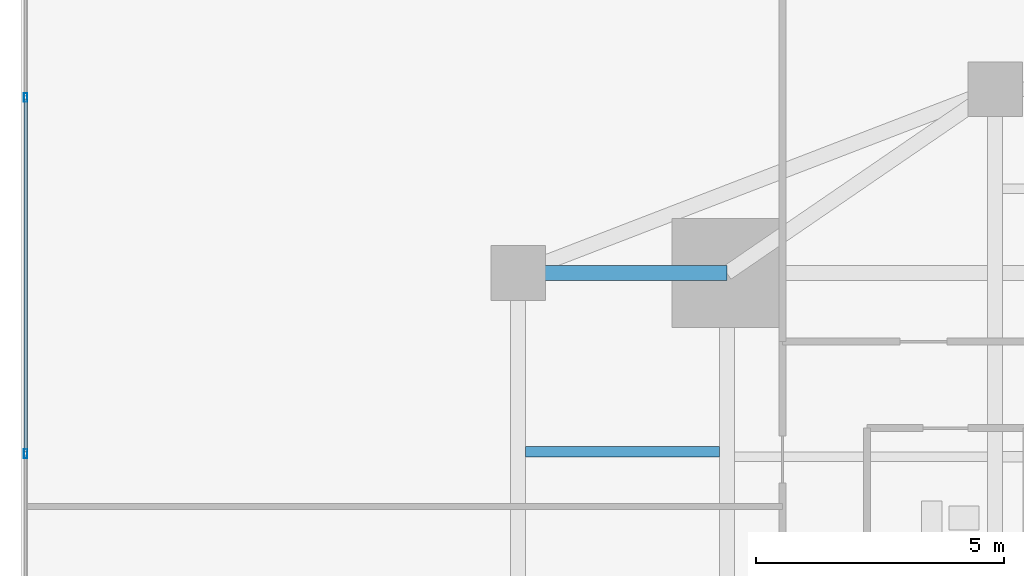
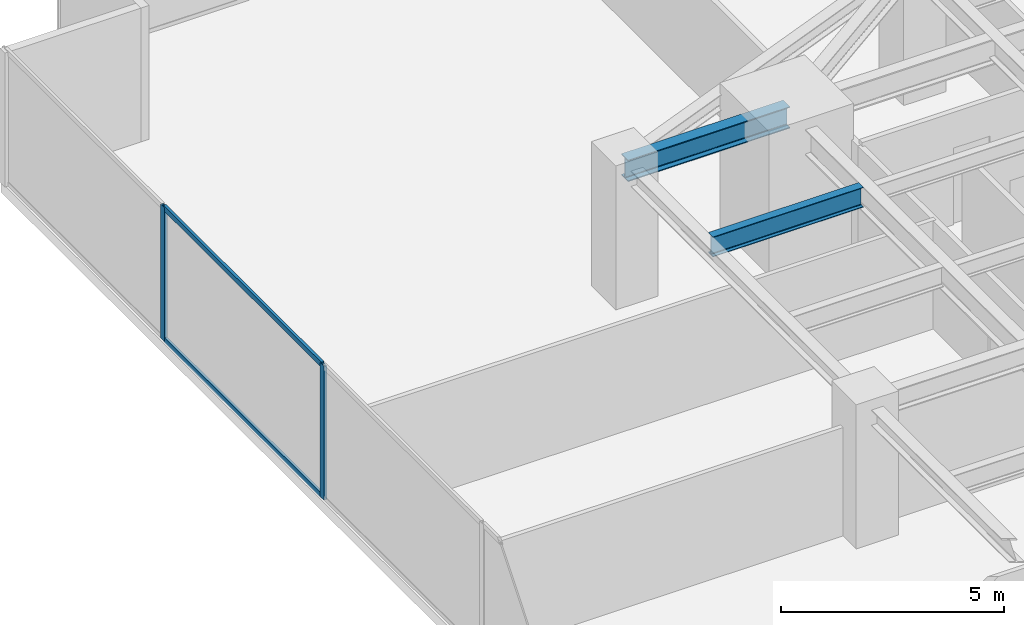
# One storey, part 15 of 28: 4 members, 2 beams, 1 element without a shape of its own.
"""IFC4 building model written with IfcOpenShell, lengths in metres."""

from ifc_helpers import new_model, si_unit, direction, frame, origin, origin_2d, place, context, subcontext, project, spatial, hollow_rectangle, i_section, extrude, source, transform, mapped, material, material_profile, profile_set, type_object, type_shapes, element, aggregate, save


model = new_model("IFC4")

# Units and contexts
model_context = context("Model", 3, precision=1e-05, world=origin(), true_north=direction((0.0, 1.0)))
body_context = subcontext(model_context, "Body", "Model", "MODEL_VIEW")
ifc_project = project(units=[si_unit("LENGTHUNIT", "METRE"), si_unit("AREAUNIT", "SQUARE_METRE"), si_unit("VOLUMEUNIT", "CUBIC_METRE"), si_unit("PLANEANGLEUNIT", "RADIAN"), si_unit("MASSUNIT", "GRAM", prefix="KILO")], contexts=[model_context])

# Site, building, storey
site_placement = place(None, origin())
site = spatial("IfcSite", under=ifc_project, at=site_placement, CompositionType="ELEMENT")
building_placement = place(site_placement, origin())
building = spatial("IfcBuilding", under=site, at=building_placement, Name="Krantzveldt Concourse Tower", CompositionType="ELEMENT")
storey_placement = place(building_placement, frame((0.0, 0.0, 28.949951171875)))
storey = spatial("IfcBuildingStorey", under=building, at=storey_placement, Name="L06", CompositionType="ELEMENT", Elevation=28.949951171875)

# Beams
ifc_material_1 = material(Name="Steel S355JR", Category="steel")
ifc_material_profile_1 = material_profile(ifc_material_1, i_section(OverallWidth=0.300048828125, OverallDepth=0.590087890625, WebThickness=0.012939453125, FlangeThickness=0.02490234375, FilletRadius=0.027099609375, at=origin_2d()), Name="Steel S355JR", Category="steel")
ifc_profile_set_1 = profile_set([ifc_material_profile_1], Name="Steel S355JR - HEA 600")
beam_type_1 = type_object("IfcBeamType", Name="BM-B-HEA600", PredefinedType="BEAM", material=ifc_profile_set_1)
shared_shape_1 = source(origin(), body_context, "Body", "SweptSolid", [
    extrude(i_section(OverallWidth=0.300048828125, OverallDepth=0.590087890625, WebThickness=0.012939453125, FlangeThickness=0.02490234375, FilletRadius=0.027099609375, at=origin_2d()), origin(), (0.0, 0.0, 1.0), 4.199951171875),
])
type_shapes(beam_type_1, [shared_shape_1])
beam_1_placement = place(storey_placement, frame((21.0, 37.5, 3.375), z_axis=(1.0, 0.0, 0.0), x_axis=(0.0, 1.0, 0.0)))
element("IfcBeam", 1, at=beam_1_placement, inside=storey, type_object=beam_type_1, Name="L06 Tower Girder BR-RL3", PredefinedType="BEAM", context=body_context, shape_type="MappedRepresentation", body=[
    mapped(shared_shape_1, transform((0.0, 0.0, 0.0), x_axis=(1.0, 0.0, 0.0), y_axis=(0.0, 1.0, 0.0), z_axis=(0.0, 0.0, 1.0), scale=1.0)),
])
ifc_material_profile_2 = material_profile(ifc_material_1, i_section(OverallWidth=0.2099609375, OverallDepth=0.550048828125, WebThickness=0.010986328125, FlangeThickness=0.01708984375, FilletRadius=0.02392578125, at=origin_2d()), Name="Steel S355JR", Category="steel")
ifc_profile_set_2 = profile_set([ifc_material_profile_2], Name="Steel S355JR - IPE 550")
beam_type_2 = type_object("IfcBeamType", Name="BM-J-IPE550", PredefinedType="JOIST", material=ifc_profile_set_2)
shared_shape_2 = source(origin(), body_context, "Body", "SweptSolid", [
    extrude(i_section(OverallWidth=0.2099609375, OverallDepth=0.550048828125, WebThickness=0.010986328125, FlangeThickness=0.01708984375, FilletRadius=0.02392578125, at=origin_2d()), origin(), (0.0, 0.0, 1.0), 3.900146484375),
])
type_shapes(beam_type_2, [shared_shape_2])
beam_2_placement = place(storey_placement, frame((21.14990234375, 33.89990234375, 3.39501953125), z_axis=(1.0, 0.0, 0.0), x_axis=(0.0, 1.0, 0.0)))
element("IfcBeam", 2, at=beam_2_placement, inside=storey, type_object=beam_type_2, Name="L06 Secondary Floor Joist JW-4", PredefinedType="JOIST", context=body_context, shape_type="MappedRepresentation", body=[
    mapped(shared_shape_2, transform((0.0, 0.0, 0.0), x_axis=(1.0, 0.0, 0.0), y_axis=(0.0, 1.0, 0.0), z_axis=(0.0, 0.0, 1.0), scale=1.0)),
])

# Curtain wall, members
ifc_material_2 = material(Name="Anodised aluminium 6063-T6", Category="aluminium")
curtain_wall_type = type_object("IfcCurtainWallType", Name="CW2", PredefinedType="USERDEFINED", material=ifc_material_2)
curtain_wall_placement = place(storey_placement, origin())
curtain_wall = element("IfcCurtainWall", 3, at=curtain_wall_placement, inside=storey, type_object=curtain_wall_type, Name="CW-L06-F01", ObjectType="UNITISED CURTAIN WALL", PredefinedType="USERDEFINED")
ifc_material_profile_3 = material_profile(ifc_material_2, hollow_rectangle(XDim=0.070068359375, YDim=0.139892578125, WallThickness=0.0048828125, at=origin_2d()), Name="Anodised aluminium 6063-T6", Category="aluminium")
ifc_profile_set_3 = profile_set([ifc_material_profile_3], Name="Anodised aluminium 6063-T6 - ALU-TRAN 140x70x5")
member_type_1 = type_object("IfcMemberType", Name="CW-TRN-150", PredefinedType="USERDEFINED", material=ifc_profile_set_3)
shared_shape_3 = source(origin(), body_context, "Body", "SweptSolid", [
    extrude(hollow_rectangle(XDim=0.070068359375, YDim=0.139892578125, WallThickness=0.0048828125, at=origin_2d()), origin(), (0.0, 0.0, 1.0), 7.0966796875),
])
type_shapes(member_type_1, [shared_shape_3])
member_1_placement = place(storey_placement, frame((11.090087890625, 40.998291015625, 0.03515625), z_axis=(0.0, -1.0, 0.0), x_axis=(1.0, 0.0, 0.0)))
member_1 = element("IfcMember", 4, at=member_1_placement, type_object=member_type_1, Name="CW-Z12 transom 2.1", ObjectType="TRANSOM", PredefinedType="USERDEFINED", context=body_context, shape_type="MappedRepresentation", body=[
    mapped(shared_shape_3, transform((0.0, 0.0, 0.0), x_axis=(1.0, 0.0, 0.0), y_axis=(0.0, 1.0, 0.0), z_axis=(0.0, 0.0, 1.0), scale=1.0)),
])
member_2_placement = place(storey_placement, frame((11.090087890625, 40.998291015625, 3.635009765625), z_axis=(0.0, -1.0, 0.0), x_axis=(1.0, 0.0, 0.0)))
member_2 = element("IfcMember", 5, at=member_2_placement, type_object=member_type_1, Name="CW-Z12 transom 2.2", ObjectType="TRANSOM", PredefinedType="USERDEFINED", context=body_context, shape_type="MappedRepresentation", body=[
    mapped(shared_shape_3, transform((0.0, 0.0, 0.0), x_axis=(1.0, 0.0, 0.0), y_axis=(0.0, 1.0, 0.0), z_axis=(0.0, 0.0, 1.0), scale=1.0)),
])
ifc_material_profile_4 = material_profile(ifc_material_2, hollow_rectangle(XDim=0.070068359375, YDim=0.179931640625, WallThickness=0.0048828125, at=origin_2d()), Name="Anodised aluminium 6063-T6", Category="aluminium")
ifc_profile_set_4 = profile_set([ifc_material_profile_4], Name="Anodised aluminium 6063-T6 - ALU-MULL 180x70x5")
member_type_2 = type_object("IfcMemberType", Name="CW-MUL-180", PredefinedType="MULLION", material=ifc_profile_set_4)
shared_shape_4 = source(origin(), body_context, "Body", "SweptSolid", [
    extrude(hollow_rectangle(XDim=0.070068359375, YDim=0.179931640625, WallThickness=0.0048828125, at=origin_2d()), origin(), (0.0, 0.0, 1.0), 3.670166015625),
])
type_shapes(member_type_2, [shared_shape_4])
member_3_placement = place(storey_placement, frame((11.090087890625, 41.033447265625, 0.0), z_axis=(0.0, 0.0, 1.0), x_axis=(1.0, 0.0, 0.0)))
member_3 = element("IfcMember", 6, at=member_3_placement, type_object=member_type_2, Name="CW-Z12 mullion 2", PredefinedType="MULLION", context=body_context, shape_type="MappedRepresentation", body=[
    mapped(shared_shape_4, transform((0.0, 0.0, 0.0), x_axis=(1.0, 0.0, 0.0), y_axis=(0.0, 1.0, 0.0), z_axis=(0.0, 0.0, 1.0), scale=1.0)),
])
member_4_placement = place(storey_placement, frame((11.090087890625, 33.86669921875, 0.0), z_axis=(0.0, 0.0, 1.0), x_axis=(1.0, 0.0, 0.0)))
member_4 = element("IfcMember", 7, at=member_4_placement, type_object=member_type_2, Name="CW-Z12 mullion 3", PredefinedType="MULLION", context=body_context, shape_type="MappedRepresentation", body=[
    mapped(shared_shape_4, transform((0.0, 0.0, 0.0), x_axis=(1.0, 0.0, 0.0), y_axis=(0.0, 1.0, 0.0), z_axis=(0.0, 0.0, 1.0), scale=1.0)),
])
aggregate(curtain_wall, [member_3, member_4, member_1, member_2])

save(model, "model.ifc")
